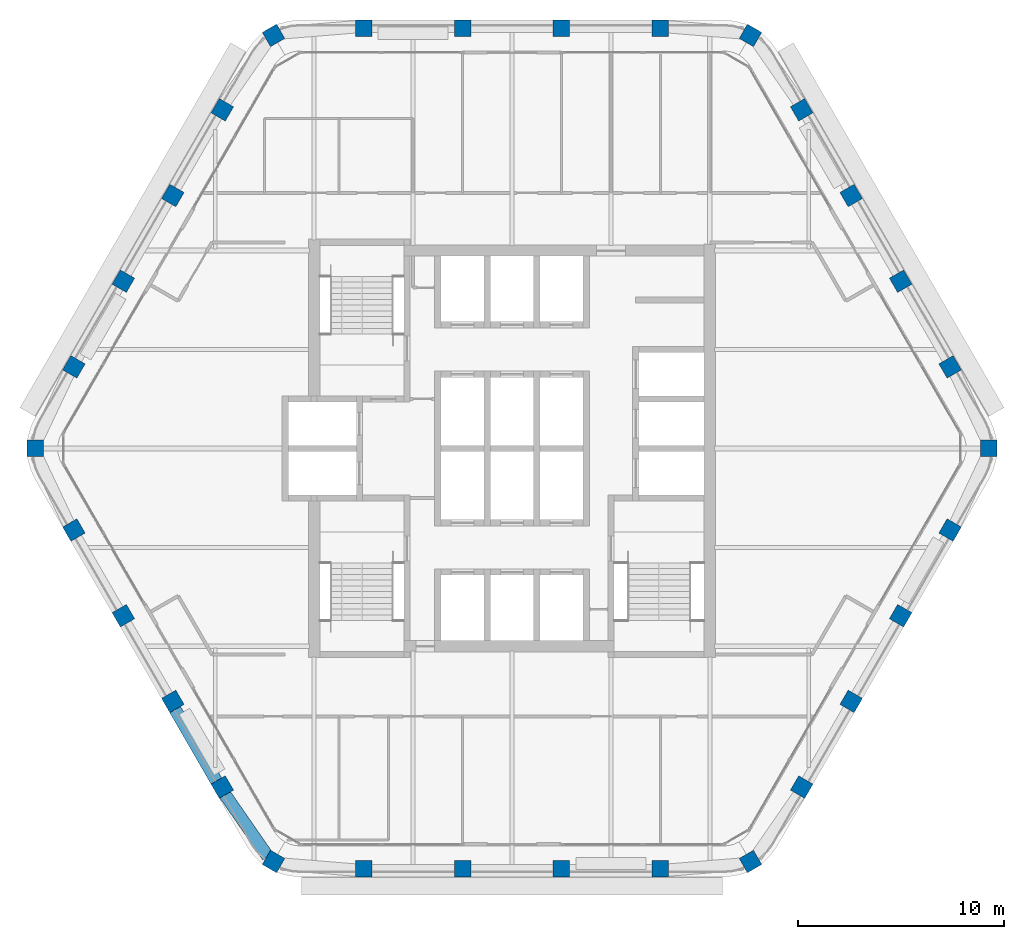
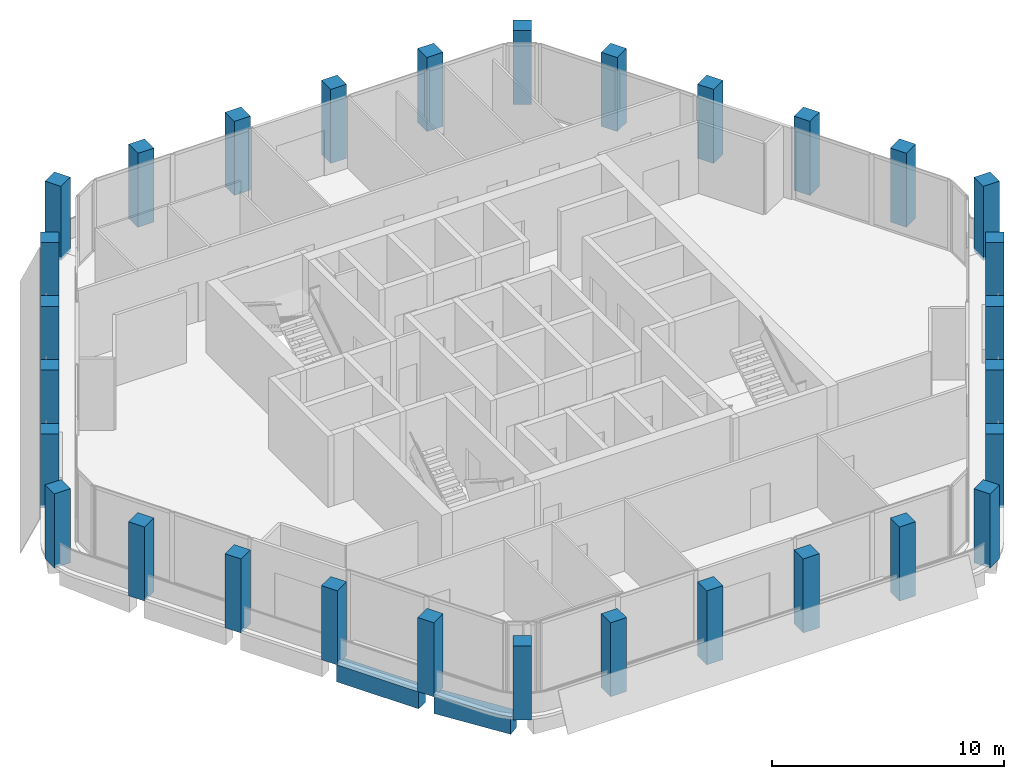
# One storey, part 1 of 13: 30 columns, 2 beams.
"""IFC4 building model written with IfcOpenShell, lengths in metres."""

from ifc_helpers import new_model, si_unit, direction, frame, origin, origin_2d, place, context, subcontext, project, spatial, rectangle, extrude, material, material_profile, profile_set, type_object, element, save


model = new_model("IFC4")

# Units and contexts
model_context = context("Model", 3, precision=1e-05, world=origin(), true_north=direction((0.0, 1.0)))
body_context = subcontext(model_context, "Body", "Model", "MODEL_VIEW")
ifc_project = project(units=[si_unit("LENGTHUNIT", "METRE"), si_unit("AREAUNIT", "SQUARE_METRE"), si_unit("VOLUMEUNIT", "CUBIC_METRE"), si_unit("PLANEANGLEUNIT", "RADIAN"), si_unit("MASSUNIT", "GRAM", prefix="KILO")], contexts=[model_context])

# Site, building, storey
site_placement = place(None, origin())
site = spatial("IfcSite", under=ifc_project, at=site_placement, CompositionType="ELEMENT")
building_placement = place(site_placement, origin())
building = spatial("IfcBuilding", under=site, at=building_placement, Name="Kolab Exchange Tower", CompositionType="ELEMENT")
storey_placement = place(building_placement, frame((0.0, 0.0, 230.60009765625)))
storey = spatial("IfcBuildingStorey", under=building, at=storey_placement, Name="L50", CompositionType="ELEMENT", Elevation=230.60009765625)

# Columns
ifc_material = material(Name="Concrete C50/60", Category="concrete")
ifc_material_profile_1 = material_profile(ifc_material, rectangle(XDim=0.800048828125, YDim=0.800048828125, at=origin_2d()), Name="RC800")
ifc_profile_set_1 = profile_set([ifc_material_profile_1], Name="Concrete C50/60")
column_type = type_object("IfcColumnType", Name="PERIMETER COLUMN 800 SQ C50/60", PredefinedType="COLUMN", material=ifc_profile_set_1)
for number, where, z_axis, x_axis, name in (
    (1, (-11.56787109375, 20.036376953125, -0.150146484375), (0.0, 0.0, 1.0), (0.866025403784, 0.5, 0.0), "col/L50/F1-01"),
    (2, (-7.199951171875, 20.384521484375, -0.150146484375), (0.0, 0.0, 1.0), (1.0, 0.0, 0.0), "col/L50/F1-02"),
    (3, (-2.39990234375, 20.384521484375, -0.150146484375), (0.0, 0.0, 1.0), (1.0, 0.0, 0.0), "col/L50/F1-03"),
    (4, (2.39990234375, 20.384521484375, -0.150146484375), (0.0, 0.0, 1.0), (1.0, 0.0, 0.0), "col/L50/F1-04"),
    (5, (7.199951171875, 20.384521484375, -0.150146484375), (0.0, 0.0, 1.0), (1.0, 0.0, 0.0), "col/L50/F1-05"),
    (6, (11.56787109375, 20.036376953125, -0.150146484375), (0.0, 0.0, 1.0), (0.5, 0.866025403784, 0.0), "col/L50/F2-01"),
    (7, (14.0537109375, 16.427734375, -0.150146484375), (0.0, 0.0, 1.0), (0.866025403784, 0.5, 0.0), "col/L50/F2-02"),
    (8, (16.45361328125, 12.270751953125, -0.150146484375), (0.0, 0.0, 1.0), (0.866025403784, 0.5, 0.0), "col/L50/F2-03"),
    (9, (18.853515625, 8.11376953125, -0.150146484375), (0.0, 0.0, 1.0), (0.866025403784, 0.5, 0.0), "col/L50/F2-04"),
    (10, (21.253662109375, 3.95703125, -0.150146484375), (0.0, 0.0, 1.0), (0.866025403784, 0.5, 0.0), "col/L50/F2-05"),
    (11, (23.135986328125, 0.0, -0.150146484375), (0.0, 0.0, 1.0), (1.0, 0.0, 0.0), "col/L50/F3-01"),
    (12, (21.253662109375, -3.95703125, -0.150146484375), (0.0, 0.0, 1.0), (0.5, 0.866025403784, 0.0), "col/L50/F3-02"),
    (13, (18.853515625, -8.11376953125, -0.150146484375), (0.0, 0.0, 1.0), (0.5, 0.866025403784, 0.0), "col/L50/F3-03"),
    (14, (16.45361328125, -12.270751953125, -0.150146484375), (0.0, 0.0, 1.0), (0.5, 0.866025403784, 0.0), "col/L50/F3-04"),
    (15, (14.0537109375, -16.427734375, -0.150146484375), (0.0, 0.0, 1.0), (0.5, 0.866025403784, 0.0), "col/L50/F3-05"),
    (16, (11.56787109375, -20.036376953125, -0.150146484375), (0.0, 0.0, 1.0), (0.866025403784, 0.5, 0.0), "col/L50/F4-01"),
    (17, (7.199951171875, -20.384521484375, -0.150146484375), (0.0, 0.0, 1.0), (1.0, 0.0, 0.0), "col/L50/F4-02"),
    (18, (2.39990234375, -20.384521484375, -0.150146484375), (0.0, 0.0, 1.0), (1.0, 0.0, 0.0), "col/L50/F4-03"),
    (19, (-2.39990234375, -20.384521484375, -0.150146484375), (0.0, 0.0, 1.0), (1.0, 0.0, 0.0), "col/L50/F4-04"),
    (20, (-7.199951171875, -20.384521484375, -0.150146484375), (0.0, 0.0, 1.0), (1.0, 0.0, 0.0), "col/L50/F4-05"),
    (21, (-11.56787109375, -20.036376953125, -0.150146484375), (0.0, 0.0, 1.0), (0.5, 0.866025403784, 0.0), "col/L50/F5-01"),
    (22, (-14.0537109375, -16.427734375, -0.150146484375), (0.0, 0.0, 1.0), (0.866025403784, 0.5, 0.0), "col/L50/F5-02"),
    (23, (-16.45361328125, -12.270751953125, -0.150146484375), (0.0, 0.0, 1.0), (0.866025403784, 0.5, 0.0), "col/L50/F5-03"),
    (24, (-18.853515625, -8.11376953125, -0.150146484375), (0.0, 0.0, 1.0), (0.866025403784, 0.5, 0.0), "col/L50/F5-04"),
    (25, (-21.253662109375, -3.95703125, -0.150146484375), (0.0, 0.0, 1.0), (0.866025403784, 0.5, 0.0), "col/L50/F5-05"),
    (26, (-23.135986328125, 0.0, -0.150146484375), (0.0, 0.0, 1.0), (1.0, 0.0, 0.0), "col/L50/F6-01"),
    (27, (-21.253662109375, 3.95703125, -0.150146484375), (0.0, 0.0, 1.0), (0.5, 0.866025403784, 0.0), "col/L50/F6-02"),
    (28, (-18.853515625, 8.11376953125, -0.150146484375), (0.0, 0.0, 1.0), (0.5, 0.866025403784, 0.0), "col/L50/F6-03"),
    (29, (-16.45361328125, 12.270751953125, -0.150146484375), (0.0, 0.0, 1.0), (0.5, 0.866025403784, 0.0), "col/L50/F6-04"),
    (30, (-14.0537109375, 16.427734375, -0.150146484375), (0.0, 0.0, 1.0), (0.5, 0.866025403784, 0.0), "col/L50/F6-05"),
):
    element("IfcColumn", number, at=place(storey_placement, frame(where, z_axis=z_axis, x_axis=x_axis)), inside=storey, type_object=column_type, Name=name, PredefinedType="COLUMN", context=body_context, shape_type="SweptSolid", body=[
        extrude(rectangle(XDim=0.800048828125, YDim=0.800048828125, at=origin_2d()), origin(), (0.0, 0.0, 1.0), 3.900146484375),
    ])

# Beams
ifc_material_profile_2 = material_profile(ifc_material, rectangle(XDim=0.60009765625, YDim=0.89990234375, at=origin_2d()), Name="RC600X900")
ifc_profile_set_2 = profile_set([ifc_material_profile_2], Name="Concrete C50/60")
beam_type = type_object("IfcBeamType", Name="SPANDREL BEAM 600X900 C50/60", PredefinedType="BEAM", material=ifc_profile_set_2)
beam_1_placement = place(storey_placement, frame((-11.846923828125, -19.7919921875, -0.60009765625), z_axis=(-0.569005808573, 0.822333502789, 0.0), x_axis=(-0.822333502789, -0.569005808573, 0.0)))
element("IfcBeam", 31, at=beam_1_placement, inside=storey, type_object=beam_type, Name="beam/L50/sp/F5-01", PredefinedType="BEAM", context=body_context, shape_type="SweptSolid", body=[
    extrude(rectangle(XDim=0.60009765625, YDim=0.89990234375, at=origin_2d()), origin(), (0.0, 0.0, 1.0), 3.6689453125),
])
beam_2_placement = place(storey_placement, frame((-14.3203125, -16.166015625, -0.60009765625), z_axis=(-0.499955548806, 0.866051066172, 0.0), x_axis=(-0.866051066172, -0.499955548806, 0.0)))
element("IfcBeam", 32, at=beam_2_placement, inside=storey, type_object=beam_type, Name="beam/L50/sp/F5-02", PredefinedType="BEAM", context=body_context, shape_type="SweptSolid", body=[
    extrude(rectangle(XDim=0.60009765625, YDim=0.89990234375, at=origin_2d()), origin(), (0.0, 0.0, 1.0), 4.079833984375),
])

save(model, "model.ifc")
